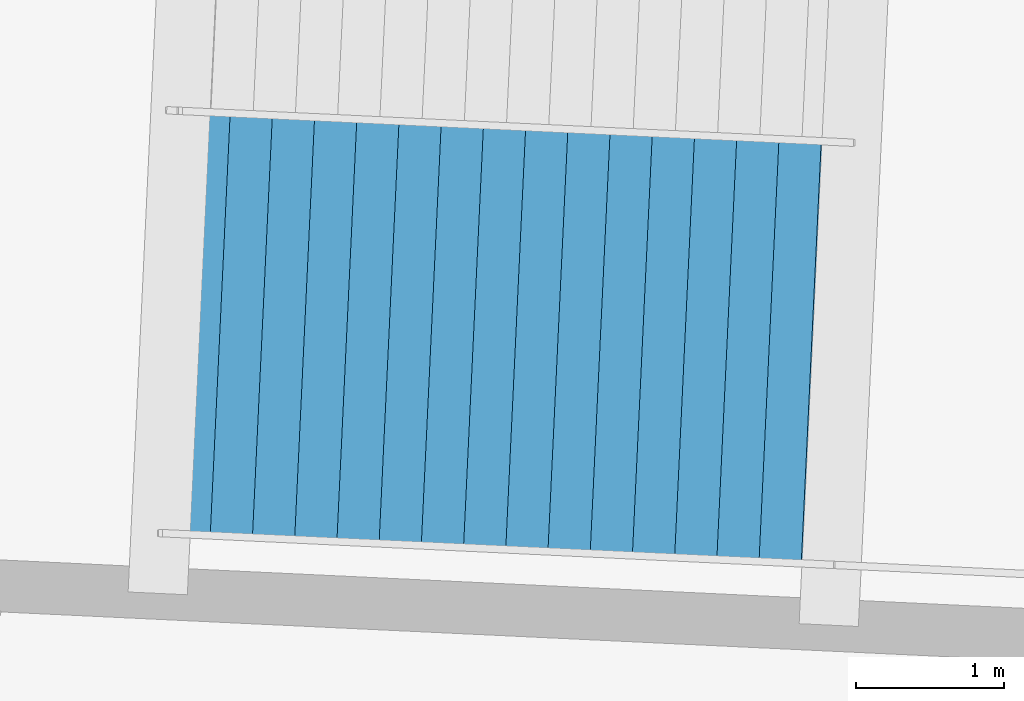
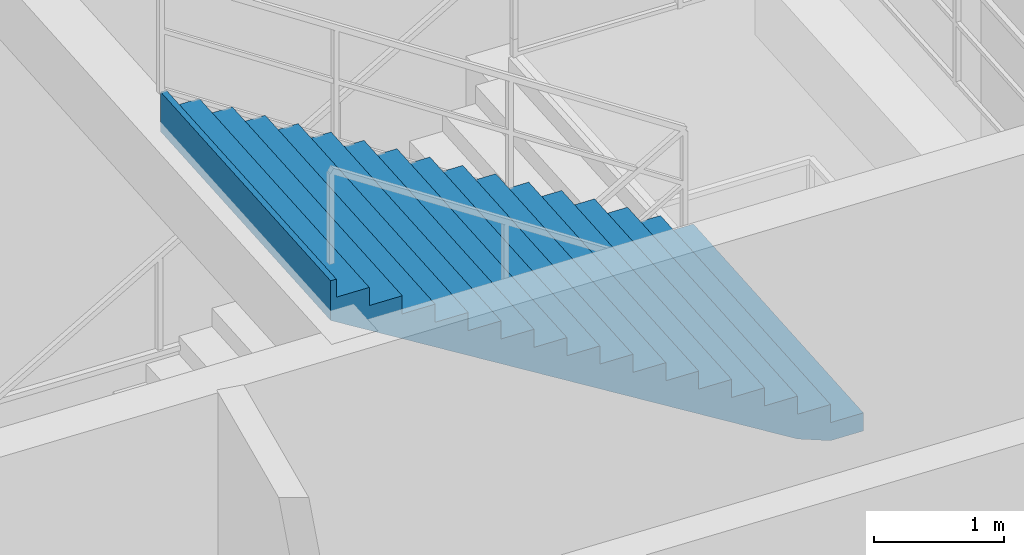
# One storey, part 23 of 48: 1 stair flight, 1 element without a shape of its own.
"""IFC4 building model written with IfcOpenShell, lengths in metres."""

from ifc_helpers import new_model, si_unit, direction, frame, origin, place, context, subcontext, project, spatial, polygons, material, type_object, element, aggregate, save


model = new_model("IFC4")

# Units and contexts
model_context = context("Model", 3, precision=1e-05, world=origin(), true_north=direction((0.0, 1.0)))
body_context = subcontext(model_context, "Body", "Model", "MODEL_VIEW")
ifc_project = project(units=[si_unit("LENGTHUNIT", "METRE"), si_unit("AREAUNIT", "SQUARE_METRE"), si_unit("VOLUMEUNIT", "CUBIC_METRE"), si_unit("PLANEANGLEUNIT", "RADIAN"), si_unit("MASSUNIT", "GRAM", prefix="KILO")], contexts=[model_context])

# Site, building, storey
site_placement = place(None, origin())
site = spatial("IfcSite", under=ifc_project, at=site_placement, CompositionType="ELEMENT")
building_placement = place(site_placement, origin())
building = spatial("IfcBuilding", under=site, at=building_placement, Name="Kazemori Nagisa Stadium", CompositionType="ELEMENT")
storey_placement = place(building_placement, origin())
storey = spatial("IfcBuildingStorey", under=building, at=storey_placement, Name="L00", CompositionType="ELEMENT", Elevation=0.0)

# Stair, stair flight
ifc_material = material(Name="Concrete C36/45 (Fc36)", Category="concrete")
stair_type = type_object("IfcStairType", Name="Stair_CORE_34", PredefinedType="TWO_STRAIGHT_RUN_STAIR", material=ifc_material)
stair_placement = place(storey_placement, origin())
stair = element("IfcStair", 1, at=stair_placement, inside=storey, type_object=stair_type, Name="Exit stair ST12 L00", PredefinedType="TWO_STRAIGHT_RUN_STAIR")
stair_flight_type = type_object("IfcStairFlightType", Name="Flight_CORE_17", PredefinedType="STRAIGHT", material=ifc_material)
stair_flight_placement = place(storey_placement, frame((111.727783203125, 20.947021484375, 2.889892578125), z_axis=(0.0, 0.0, 1.0), x_axis=(-0.998884431224, 0.047221743492, 0.0)))
stair_flight = element("IfcStairFlight", 2, at=stair_flight_placement, type_object=stair_flight_type, Name="Exit stair ST12 L00 flight 2", NumberOfRisers=17, NumberOfTreads=16, PredefinedType="STRAIGHT", RiserHeight=0.17, TreadLength=0.285, context=body_context, shape_type="Tessellation", body=[
    polygons([(0.0, -1.425048828125, 0.0), (0.0, -1.425048828125, 0.169921875), (0.284912109375, -1.425048828125, 0.169921875), (0.284912109375, -1.425048828125, 0.340087890625), (0.570068359375, -1.425048828125, 0.340087890625), (0.570068359375, -1.425048828125, 0.510009765625), (0.85498046875, -1.425048828125, 0.510009765625), (0.85498046875, -1.425048828125, 0.679931640625), (1.139892578125, -1.425048828125, 0.679931640625), (1.139892578125, -1.425048828125, 0.85009765625), (1.425048828125, -1.425048828125, 0.85009765625), (1.425048828125, -1.425048828125, 1.02001953125), (1.7099609375, -1.425048828125, 1.02001953125), (1.7099609375, -1.425048828125, 1.18994140625), (1.9951171875, -1.425048828125, 1.18994140625), (1.9951171875, -1.425048828125, 1.360107421875), (2.280029296875, -1.425048828125, 1.360107421875), (2.280029296875, -1.425048828125, 1.530029296875), (2.56494140625, -1.425048828125, 1.530029296875), (2.56494140625, -1.425048828125, 1.699951171875), (2.85009765625, -1.425048828125, 1.699951171875), (2.85009765625, -1.425048828125, 1.8701171875), (3.135009765625, -1.425048828125, 1.8701171875), (3.135009765625, -1.425048828125, 2.0400390625), (3.419921875, -1.425048828125, 2.0400390625), (3.419921875, -1.425048828125, 2.2099609375), (3.705078125, -1.425048828125, 2.2099609375), (3.705078125, -1.425048828125, 2.3798828125), (3.989990234375, -1.425048828125, 2.3798828125), (3.989990234375, -1.425048828125, 2.550048828125), (4.27490234375, -1.425048828125, 2.550048828125), (4.27490234375, -1.425048828125, 2.719970703125), (4.56005859375, -1.425048828125, 2.719970703125), (4.56005859375, -1.425048828125, 2.889892578125), (4.610107421875, -1.425048828125, 2.889892578125), (4.610107421875, -1.425048828125, 2.51708984375), (4.56005859375, -1.425048828125, 2.487060546875), (4.27490234375, -1.425048828125, 2.317138671875), (3.989990234375, -1.425048828125, 2.147216796875), (3.705078125, -1.425048828125, 1.977294921875), (3.419921875, -1.425048828125, 1.80712890625), (3.135009765625, -1.425048828125, 1.63720703125), (2.85009765625, -1.425048828125, 1.46728515625), (2.56494140625, -1.425048828125, 1.297119140625), (2.280029296875, -1.425048828125, 1.127197265625), (1.9951171875, -1.425048828125, 0.957275390625), (1.7099609375, -1.425048828125, 0.787109375), (1.425048828125, -1.425048828125, 0.6171875), (1.139892578125, -1.425048828125, 0.447265625), (0.85498046875, -1.425048828125, 0.277099609375), (0.570068359375, -1.425048828125, 0.107177734375), (0.284912109375, -1.425048828125, 0.0), (0.0, -0.08544921875, 0.0), (0.0, -0.08544921875, 0.169921875), (0.284912109375, -0.08544921875, 0.169921875), (0.284912109375, -0.08544921875, 0.340087890625), (0.570068359375, -0.08544921875, 0.340087890625), (0.570068359375, -0.08544921875, 0.510009765625), (0.85498046875, -0.08544921875, 0.510009765625), (0.85498046875, -0.08544921875, 0.679931640625), (1.139892578125, -0.08544921875, 0.679931640625), (1.139892578125, -0.08544921875, 0.85009765625), (1.425048828125, -0.08544921875, 0.85009765625), (1.425048828125, -0.08544921875, 1.02001953125), (1.7099609375, -0.08544921875, 1.02001953125), (1.7099609375, -0.08544921875, 1.18994140625), (1.9951171875, -0.08544921875, 1.18994140625), (1.9951171875, -0.08544921875, 1.360107421875), (2.280029296875, -0.08544921875, 1.360107421875), (2.280029296875, -0.08544921875, 1.530029296875), (2.56494140625, -0.08544921875, 1.530029296875), (2.56494140625, -0.08544921875, 1.699951171875), (2.85009765625, -0.08544921875, 1.699951171875), (2.85009765625, -0.08544921875, 1.8701171875), (3.135009765625, -0.08544921875, 1.8701171875), (3.135009765625, -0.08544921875, 2.0400390625), (3.419921875, -0.08544921875, 2.0400390625), (3.419921875, -0.08544921875, 2.2099609375), (3.705078125, -0.08544921875, 2.2099609375), (3.705078125, -0.08544921875, 2.3798828125), (3.989990234375, -0.08544921875, 2.3798828125), (3.989990234375, -0.08544921875, 2.550048828125), (4.27490234375, -0.08544921875, 2.550048828125), (4.27490234375, -0.08544921875, 2.719970703125), (4.56005859375, -0.08544921875, 2.719970703125), (4.56005859375, -0.08544921875, 2.889892578125), (4.610107421875, -0.08544921875, 2.889892578125), (4.610107421875, -0.08544921875, 2.51708984375), (4.56005859375, -0.08544921875, 2.487060546875), (4.27490234375, -0.08544921875, 2.317138671875), (3.989990234375, -0.08544921875, 2.147216796875), (3.705078125, -0.08544921875, 1.977294921875), (3.419921875, -0.08544921875, 1.80712890625), (3.135009765625, -0.08544921875, 1.63720703125), (2.85009765625, -0.08544921875, 1.46728515625), (2.56494140625, -0.08544921875, 1.297119140625), (2.280029296875, -0.08544921875, 1.127197265625), (1.9951171875, -0.08544921875, 0.957275390625), (1.7099609375, -0.08544921875, 0.787109375), (1.425048828125, -0.08544921875, 0.6171875), (1.139892578125, -0.08544921875, 0.447265625), (0.85498046875, -0.08544921875, 0.277099609375), (0.570068359375, -0.08544921875, 0.107177734375), (0.284912109375, -0.08544921875, 0.0), (0.0, 0.0, 0.0), (0.0, 0.0, 0.169921875), (0.284912109375, 0.0, 0.169921875), (0.284912109375, 0.0, 0.340087890625), (0.570068359375, 0.0, 0.340087890625), (0.570068359375, 0.0, 0.510009765625), (0.85498046875, 0.0, 0.510009765625), (0.85498046875, 0.0, 0.679931640625), (1.139892578125, 0.0, 0.679931640625), (1.139892578125, 0.0, 0.85009765625), (1.425048828125, 0.0, 0.85009765625), (1.425048828125, 0.0, 1.02001953125), (1.7099609375, 0.0, 1.02001953125), (1.7099609375, 0.0, 1.18994140625), (1.9951171875, 0.0, 1.18994140625), (1.9951171875, 0.0, 1.360107421875), (2.280029296875, 0.0, 1.360107421875), (2.280029296875, 0.0, 1.530029296875), (2.56494140625, 0.0, 1.530029296875), (2.56494140625, 0.0, 1.699951171875), (2.85009765625, 0.0, 1.699951171875), (2.85009765625, 0.0, 1.8701171875), (3.135009765625, 0.0, 1.8701171875), (3.135009765625, 0.0, 2.0400390625), (3.419921875, 0.0, 2.0400390625), (3.419921875, 0.0, 2.2099609375), (3.705078125, 0.0, 2.2099609375), (3.705078125, 0.0, 2.3798828125), (3.989990234375, 0.0, 2.3798828125), (3.989990234375, 0.0, 2.550048828125), (4.27490234375, 0.0, 2.550048828125), (4.27490234375, 0.0, 2.719970703125), (4.56005859375, 0.0, 2.719970703125), (4.56005859375, 0.0, 2.889892578125), (4.610107421875, 0.0, 2.889892578125), (4.610107421875, 0.0, 2.51708984375), (4.56005859375, 0.0, 2.487060546875), (4.27490234375, 0.0, 2.317138671875), (3.989990234375, 0.0, 2.147216796875), (3.705078125, 0.0, 1.977294921875), (3.419921875, 0.0, 1.80712890625), (3.135009765625, 0.0, 1.63720703125), (2.85009765625, 0.0, 1.46728515625), (2.56494140625, 0.0, 1.297119140625), (2.280029296875, 0.0, 1.127197265625), (1.9951171875, 0.0, 0.957275390625), (1.7099609375, 0.0, 0.787109375), (1.425048828125, 0.0, 0.6171875), (1.139892578125, 0.0, 0.447265625), (0.85498046875, 0.0, 0.277099609375), (0.570068359375, 0.0, 0.107177734375), (0.284912109375, 0.0, 0.0), (0.0, 0.08544921875, 0.0), (0.0, 0.08544921875, 0.169921875), (0.284912109375, 0.08544921875, 0.169921875), (0.284912109375, 0.08544921875, 0.340087890625), (0.570068359375, 0.08544921875, 0.340087890625), (0.570068359375, 0.08544921875, 0.510009765625), (0.85498046875, 0.08544921875, 0.510009765625), (0.85498046875, 0.08544921875, 0.679931640625), (1.139892578125, 0.08544921875, 0.679931640625), (1.139892578125, 0.08544921875, 0.85009765625), (1.425048828125, 0.08544921875, 0.85009765625), (1.425048828125, 0.08544921875, 1.02001953125), (1.7099609375, 0.08544921875, 1.02001953125), (1.7099609375, 0.08544921875, 1.18994140625), (1.9951171875, 0.08544921875, 1.18994140625), (1.9951171875, 0.08544921875, 1.360107421875), (2.280029296875, 0.08544921875, 1.360107421875), (2.280029296875, 0.08544921875, 1.530029296875), (2.56494140625, 0.08544921875, 1.530029296875), (2.56494140625, 0.08544921875, 1.699951171875), (2.85009765625, 0.08544921875, 1.699951171875), (2.85009765625, 0.08544921875, 1.8701171875), (3.135009765625, 0.08544921875, 1.8701171875), (3.135009765625, 0.08544921875, 2.0400390625), (3.419921875, 0.08544921875, 2.0400390625), (3.419921875, 0.08544921875, 2.2099609375), (3.705078125, 0.08544921875, 2.2099609375), (3.705078125, 0.08544921875, 2.3798828125), (3.989990234375, 0.08544921875, 2.3798828125), (3.989990234375, 0.08544921875, 2.550048828125), (4.27490234375, 0.08544921875, 2.550048828125), (4.27490234375, 0.08544921875, 2.719970703125), (4.56005859375, 0.08544921875, 2.719970703125), (4.56005859375, 0.08544921875, 2.889892578125), (4.610107421875, 0.08544921875, 2.889892578125), (4.610107421875, 0.08544921875, 2.51708984375), (4.56005859375, 0.08544921875, 2.487060546875), (4.27490234375, 0.08544921875, 2.317138671875), (3.989990234375, 0.08544921875, 2.147216796875), (3.705078125, 0.08544921875, 1.977294921875), (3.419921875, 0.08544921875, 1.80712890625), (3.135009765625, 0.08544921875, 1.63720703125), (2.85009765625, 0.08544921875, 1.46728515625), (2.56494140625, 0.08544921875, 1.297119140625), (2.280029296875, 0.08544921875, 1.127197265625), (1.9951171875, 0.08544921875, 0.957275390625), (1.7099609375, 0.08544921875, 0.787109375), (1.425048828125, 0.08544921875, 0.6171875), (1.139892578125, 0.08544921875, 0.447265625), (0.85498046875, 0.08544921875, 0.277099609375), (0.570068359375, 0.08544921875, 0.107177734375), (0.284912109375, 0.08544921875, 0.0), (0.0, 1.425048828125, 0.0), (0.0, 1.425048828125, 0.169921875), (0.284912109375, 1.425048828125, 0.169921875), (0.284912109375, 1.425048828125, 0.340087890625), (0.570068359375, 1.425048828125, 0.340087890625), (0.570068359375, 1.425048828125, 0.510009765625), (0.85498046875, 1.425048828125, 0.510009765625), (0.85498046875, 1.425048828125, 0.679931640625), (1.139892578125, 1.425048828125, 0.679931640625), (1.139892578125, 1.425048828125, 0.85009765625), (1.425048828125, 1.425048828125, 0.85009765625), (1.425048828125, 1.425048828125, 1.02001953125), (1.7099609375, 1.425048828125, 1.02001953125), (1.7099609375, 1.425048828125, 1.18994140625), (1.9951171875, 1.425048828125, 1.18994140625), (1.9951171875, 1.425048828125, 1.360107421875), (2.280029296875, 1.425048828125, 1.360107421875), (2.280029296875, 1.425048828125, 1.530029296875), (2.56494140625, 1.425048828125, 1.530029296875), (2.56494140625, 1.425048828125, 1.699951171875), (2.85009765625, 1.425048828125, 1.699951171875), (2.85009765625, 1.425048828125, 1.8701171875), (3.135009765625, 1.425048828125, 1.8701171875), (3.135009765625, 1.425048828125, 2.0400390625), (3.419921875, 1.425048828125, 2.0400390625), (3.419921875, 1.425048828125, 2.2099609375), (3.705078125, 1.425048828125, 2.2099609375), (3.705078125, 1.425048828125, 2.3798828125), (3.989990234375, 1.425048828125, 2.3798828125), (3.989990234375, 1.425048828125, 2.550048828125), (4.27490234375, 1.425048828125, 2.550048828125), (4.27490234375, 1.425048828125, 2.719970703125), (4.56005859375, 1.425048828125, 2.719970703125), (4.56005859375, 1.425048828125, 2.889892578125), (4.610107421875, 1.425048828125, 2.889892578125), (4.610107421875, 1.425048828125, 2.51708984375), (4.56005859375, 1.425048828125, 2.487060546875), (4.27490234375, 1.425048828125, 2.317138671875), (3.989990234375, 1.425048828125, 2.147216796875), (3.705078125, 1.425048828125, 1.977294921875), (3.419921875, 1.425048828125, 1.80712890625), (3.135009765625, 1.425048828125, 1.63720703125), (2.85009765625, 1.425048828125, 1.46728515625), (2.56494140625, 1.425048828125, 1.297119140625), (2.280029296875, 1.425048828125, 1.127197265625), (1.9951171875, 1.425048828125, 0.957275390625), (1.7099609375, 1.425048828125, 0.787109375), (1.425048828125, 1.425048828125, 0.6171875), (1.139892578125, 1.425048828125, 0.447265625), (0.85498046875, 1.425048828125, 0.277099609375), (0.570068359375, 1.425048828125, 0.107177734375), (0.284912109375, 1.425048828125, 0.0)], [[[1, 2, 54]], [[1, 54, 53]], [[2, 3, 55]], [[2, 55, 54]], [[3, 4, 56]], [[3, 56, 55]], [[4, 5, 57]], [[4, 57, 56]], [[5, 6, 58]], [[5, 58, 57]], [[6, 7, 59]], [[6, 59, 58]], [[7, 8, 60]], [[7, 60, 59]], [[8, 9, 61]], [[8, 61, 60]], [[9, 10, 62]], [[9, 62, 61]], [[10, 11, 63]], [[10, 63, 62]], [[11, 12, 64]], [[11, 64, 63]], [[12, 13, 65]], [[12, 65, 64]], [[13, 14, 66]], [[13, 66, 65]], [[14, 15, 67]], [[14, 67, 66]], [[15, 16, 68]], [[15, 68, 67]], [[16, 17, 69]], [[16, 69, 68]], [[17, 18, 70]], [[17, 70, 69]], [[18, 19, 71]], [[18, 71, 70]], [[19, 20, 72]], [[19, 72, 71]], [[20, 21, 73]], [[20, 73, 72]], [[21, 22, 74]], [[21, 74, 73]], [[22, 23, 75]], [[22, 75, 74]], [[23, 24, 76]], [[23, 76, 75]], [[24, 25, 77]], [[24, 77, 76]], [[25, 26, 78]], [[25, 78, 77]], [[26, 27, 79]], [[26, 79, 78]], [[27, 28, 80]], [[27, 80, 79]], [[28, 29, 81]], [[28, 81, 80]], [[29, 30, 82]], [[29, 82, 81]], [[30, 31, 83]], [[30, 83, 82]], [[31, 32, 84]], [[31, 84, 83]], [[32, 33, 85]], [[32, 85, 84]], [[33, 34, 86]], [[33, 86, 85]], [[34, 35, 87]], [[34, 87, 86]], [[35, 36, 88]], [[35, 88, 87]], [[36, 37, 89]], [[36, 89, 88]], [[37, 38, 90]], [[37, 90, 89]], [[38, 39, 91]], [[38, 91, 90]], [[39, 40, 92]], [[39, 92, 91]], [[40, 41, 93]], [[40, 93, 92]], [[41, 42, 94]], [[41, 94, 93]], [[42, 43, 95]], [[42, 95, 94]], [[43, 44, 96]], [[43, 96, 95]], [[44, 45, 97]], [[44, 97, 96]], [[45, 46, 98]], [[45, 98, 97]], [[46, 47, 99]], [[46, 99, 98]], [[47, 48, 100]], [[47, 100, 99]], [[48, 49, 101]], [[48, 101, 100]], [[49, 50, 102]], [[49, 102, 101]], [[50, 51, 103]], [[50, 103, 102]], [[51, 52, 104]], [[51, 104, 103]], [[52, 1, 53]], [[52, 53, 104]], [[53, 54, 106]], [[53, 106, 105]], [[54, 55, 107]], [[54, 107, 106]], [[55, 56, 108]], [[55, 108, 107]], [[56, 57, 109]], [[56, 109, 108]], [[57, 58, 110]], [[57, 110, 109]], [[58, 59, 111]], [[58, 111, 110]], [[59, 60, 112]], [[59, 112, 111]], [[60, 61, 113]], [[60, 113, 112]], [[61, 62, 114]], [[61, 114, 113]], [[62, 63, 115]], [[62, 115, 114]], [[63, 64, 116]], [[63, 116, 115]], [[64, 65, 117]], [[64, 117, 116]], [[65, 66, 118]], [[65, 118, 117]], [[66, 67, 119]], [[66, 119, 118]], [[67, 68, 120]], [[67, 120, 119]], [[68, 69, 121]], [[68, 121, 120]], [[69, 70, 122]], [[69, 122, 121]], [[70, 71, 123]], [[70, 123, 122]], [[71, 72, 124]], [[71, 124, 123]], [[72, 73, 125]], [[72, 125, 124]], [[73, 74, 126]], [[73, 126, 125]], [[74, 75, 127]], [[74, 127, 126]], [[75, 76, 128]], [[75, 128, 127]], [[76, 77, 129]], [[76, 129, 128]], [[77, 78, 130]], [[77, 130, 129]], [[78, 79, 131]], [[78, 131, 130]], [[79, 80, 132]], [[79, 132, 131]], [[80, 81, 133]], [[80, 133, 132]], [[81, 82, 134]], [[81, 134, 133]], [[82, 83, 135]], [[82, 135, 134]], [[83, 84, 136]], [[83, 136, 135]], [[84, 85, 137]], [[84, 137, 136]], [[85, 86, 138]], [[85, 138, 137]], [[86, 87, 139]], [[86, 139, 138]], [[87, 88, 140]], [[87, 140, 139]], [[88, 89, 141]], [[88, 141, 140]], [[89, 90, 142]], [[89, 142, 141]], [[90, 91, 143]], [[90, 143, 142]], [[91, 92, 144]], [[91, 144, 143]], [[92, 93, 145]], [[92, 145, 144]], [[93, 94, 146]], [[93, 146, 145]], [[94, 95, 147]], [[94, 147, 146]], [[95, 96, 148]], [[95, 148, 147]], [[96, 97, 149]], [[96, 149, 148]], [[97, 98, 150]], [[97, 150, 149]], [[98, 99, 151]], [[98, 151, 150]], [[99, 100, 152]], [[99, 152, 151]], [[100, 101, 153]], [[100, 153, 152]], [[101, 102, 154]], [[101, 154, 153]], [[102, 103, 155]], [[102, 155, 154]], [[103, 104, 156]], [[103, 156, 155]], [[104, 53, 105]], [[104, 105, 156]], [[105, 106, 158]], [[105, 158, 157]], [[106, 107, 159]], [[106, 159, 158]], [[107, 108, 160]], [[107, 160, 159]], [[108, 109, 161]], [[108, 161, 160]], [[109, 110, 162]], [[109, 162, 161]], [[110, 111, 163]], [[110, 163, 162]], [[111, 112, 164]], [[111, 164, 163]], [[112, 113, 165]], [[112, 165, 164]], [[113, 114, 166]], [[113, 166, 165]], [[114, 115, 167]], [[114, 167, 166]], [[115, 116, 168]], [[115, 168, 167]], [[116, 117, 169]], [[116, 169, 168]], [[117, 118, 170]], [[117, 170, 169]], [[118, 119, 171]], [[118, 171, 170]], [[119, 120, 172]], [[119, 172, 171]], [[120, 121, 173]], [[120, 173, 172]], [[121, 122, 174]], [[121, 174, 173]], [[122, 123, 175]], [[122, 175, 174]], [[123, 124, 176]], [[123, 176, 175]], [[124, 125, 177]], [[124, 177, 176]], [[125, 126, 178]], [[125, 178, 177]], [[126, 127, 179]], [[126, 179, 178]], [[127, 128, 180]], [[127, 180, 179]], [[128, 129, 181]], [[128, 181, 180]], [[129, 130, 182]], [[129, 182, 181]], [[130, 131, 183]], [[130, 183, 182]], [[131, 132, 184]], [[131, 184, 183]], [[132, 133, 185]], [[132, 185, 184]], [[133, 134, 186]], [[133, 186, 185]], [[134, 135, 187]], [[134, 187, 186]], [[135, 136, 188]], [[135, 188, 187]], [[136, 137, 189]], [[136, 189, 188]], [[137, 138, 190]], [[137, 190, 189]], [[138, 139, 191]], [[138, 191, 190]], [[139, 140, 192]], [[139, 192, 191]], [[140, 141, 193]], [[140, 193, 192]], [[141, 142, 194]], [[141, 194, 193]], [[142, 143, 195]], [[142, 195, 194]], [[143, 144, 196]], [[143, 196, 195]], [[144, 145, 197]], [[144, 197, 196]], [[145, 146, 198]], [[145, 198, 197]], [[146, 147, 199]], [[146, 199, 198]], [[147, 148, 200]], [[147, 200, 199]], [[148, 149, 201]], [[148, 201, 200]], [[149, 150, 202]], [[149, 202, 201]], [[150, 151, 203]], [[150, 203, 202]], [[151, 152, 204]], [[151, 204, 203]], [[152, 153, 205]], [[152, 205, 204]], [[153, 154, 206]], [[153, 206, 205]], [[154, 155, 207]], [[154, 207, 206]], [[155, 156, 208]], [[155, 208, 207]], [[156, 105, 157]], [[156, 157, 208]], [[157, 158, 210]], [[157, 210, 209]], [[158, 159, 211]], [[158, 211, 210]], [[159, 160, 212]], [[159, 212, 211]], [[160, 161, 213]], [[160, 213, 212]], [[161, 162, 214]], [[161, 214, 213]], [[162, 163, 215]], [[162, 215, 214]], [[163, 164, 216]], [[163, 216, 215]], [[164, 165, 217]], [[164, 217, 216]], [[165, 166, 218]], [[165, 218, 217]], [[166, 167, 219]], [[166, 219, 218]], [[167, 168, 220]], [[167, 220, 219]], [[168, 169, 221]], [[168, 221, 220]], [[169, 170, 222]], [[169, 222, 221]], [[170, 171, 223]], [[170, 223, 222]], [[171, 172, 224]], [[171, 224, 223]], [[172, 173, 225]], [[172, 225, 224]], [[173, 174, 226]], [[173, 226, 225]], [[174, 175, 227]], [[174, 227, 226]], [[175, 176, 228]], [[175, 228, 227]], [[176, 177, 229]], [[176, 229, 228]], [[177, 178, 230]], [[177, 230, 229]], [[178, 179, 231]], [[178, 231, 230]], [[179, 180, 232]], [[179, 232, 231]], [[180, 181, 233]], [[180, 233, 232]], [[181, 182, 234]], [[181, 234, 233]], [[182, 183, 235]], [[182, 235, 234]], [[183, 184, 236]], [[183, 236, 235]], [[184, 185, 237]], [[184, 237, 236]], [[185, 186, 238]], [[185, 238, 237]], [[186, 187, 239]], [[186, 239, 238]], [[187, 188, 240]], [[187, 240, 239]], [[188, 189, 241]], [[188, 241, 240]], [[189, 190, 242]], [[189, 242, 241]], [[190, 191, 243]], [[190, 243, 242]], [[191, 192, 244]], [[191, 244, 243]], [[192, 193, 245]], [[192, 245, 244]], [[193, 194, 246]], [[193, 246, 245]], [[194, 195, 247]], [[194, 247, 246]], [[195, 196, 248]], [[195, 248, 247]], [[196, 197, 249]], [[196, 249, 248]], [[197, 198, 250]], [[197, 250, 249]], [[198, 199, 251]], [[198, 251, 250]], [[199, 200, 252]], [[199, 252, 251]], [[200, 201, 253]], [[200, 253, 252]], [[201, 202, 254]], [[201, 254, 253]], [[202, 203, 255]], [[202, 255, 254]], [[203, 204, 256]], [[203, 256, 255]], [[204, 205, 257]], [[204, 257, 256]], [[205, 206, 258]], [[205, 258, 257]], [[206, 207, 259]], [[206, 259, 258]], [[207, 208, 260]], [[207, 260, 259]], [[208, 157, 209]], [[208, 209, 260]], [[3, 2, 1]], [[209, 210, 211]], [[52, 3, 1]], [[209, 211, 260]], [[51, 3, 52]], [[260, 211, 259]], [[5, 3, 51]], [[259, 211, 213]], [[5, 4, 3]], [[211, 212, 213]], [[50, 5, 51]], [[259, 213, 258]], [[7, 5, 50]], [[258, 213, 215]], [[7, 6, 5]], [[213, 214, 215]], [[49, 7, 50]], [[258, 215, 257]], [[9, 7, 49]], [[257, 215, 217]], [[9, 8, 7]], [[215, 216, 217]], [[48, 9, 49]], [[257, 217, 256]], [[11, 9, 48]], [[256, 217, 219]], [[11, 10, 9]], [[217, 218, 219]], [[47, 11, 48]], [[256, 219, 255]], [[13, 11, 47]], [[255, 219, 221]], [[13, 12, 11]], [[219, 220, 221]], [[46, 13, 47]], [[255, 221, 254]], [[15, 13, 46]], [[254, 221, 223]], [[15, 14, 13]], [[221, 222, 223]], [[45, 15, 46]], [[254, 223, 253]], [[17, 15, 45]], [[253, 223, 225]], [[17, 16, 15]], [[223, 224, 225]], [[44, 17, 45]], [[253, 225, 252]], [[19, 17, 44]], [[252, 225, 227]], [[19, 18, 17]], [[225, 226, 227]], [[43, 19, 44]], [[252, 227, 251]], [[21, 19, 43]], [[251, 227, 229]], [[21, 20, 19]], [[227, 228, 229]], [[42, 21, 43]], [[251, 229, 250]], [[23, 21, 42]], [[250, 229, 231]], [[23, 22, 21]], [[229, 230, 231]], [[41, 23, 42]], [[250, 231, 249]], [[25, 23, 41]], [[249, 231, 233]], [[25, 24, 23]], [[231, 232, 233]], [[40, 25, 41]], [[249, 233, 248]], [[27, 25, 40]], [[248, 233, 235]], [[27, 26, 25]], [[233, 234, 235]], [[39, 27, 40]], [[248, 235, 247]], [[29, 27, 39]], [[247, 235, 237]], [[29, 28, 27]], [[235, 236, 237]], [[38, 29, 39]], [[247, 237, 246]], [[31, 29, 38]], [[246, 237, 239]], [[31, 30, 29]], [[237, 238, 239]], [[37, 31, 38]], [[246, 239, 245]], [[33, 31, 37]], [[245, 239, 241]], [[33, 32, 31]], [[239, 240, 241]], [[36, 33, 37]], [[245, 241, 244]], [[35, 33, 36]], [[244, 241, 243]], [[35, 34, 33]], [[241, 242, 243]]], closed=True),
])
aggregate(stair, [stair_flight])

save(model, "model.ifc")
